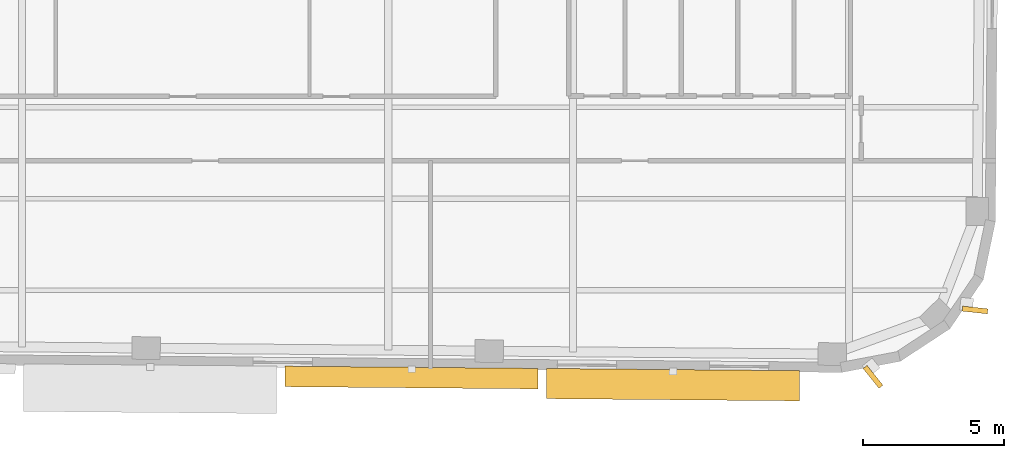
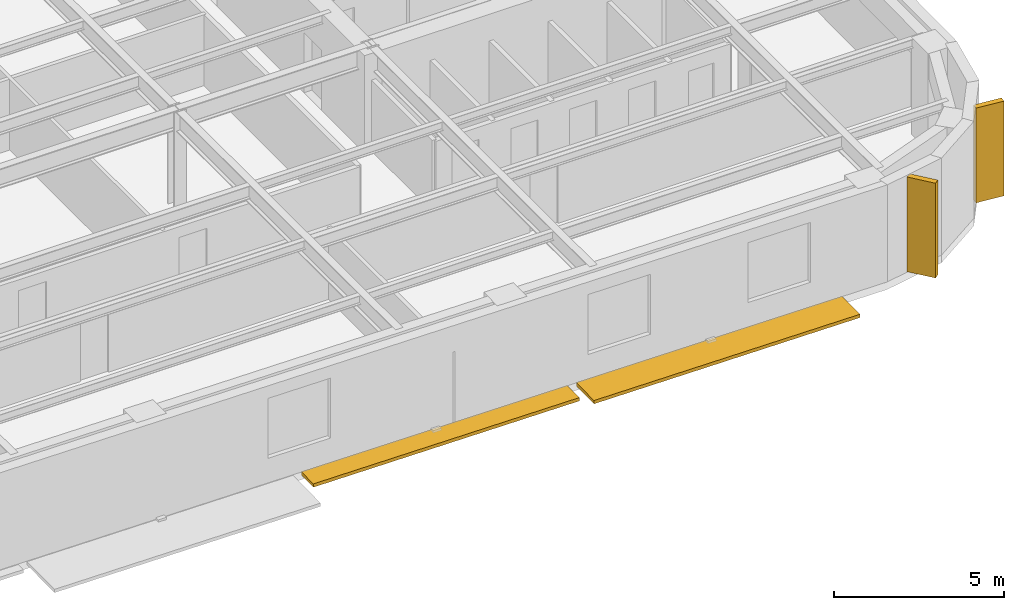
# One storey, part 10 of 12: 4 shading devices.
"""IFC4 building model written with IfcOpenShell, lengths in metres."""

from ifc_helpers import new_model, si_unit, direction, frame, origin, origin_2d, place, context, subcontext, project, spatial, rectangle, extrude, material, type_object, element, save


model = new_model("IFC4")

# Units and contexts
model_context = context("Model", 3, precision=1e-05, world=origin(), true_north=direction((0.0, 1.0)))
body_context = subcontext(model_context, "Body", "Model", "MODEL_VIEW")
ifc_project = project(units=[si_unit("LENGTHUNIT", "METRE"), si_unit("AREAUNIT", "SQUARE_METRE"), si_unit("VOLUMEUNIT", "CUBIC_METRE"), si_unit("PLANEANGLEUNIT", "RADIAN"), si_unit("MASSUNIT", "GRAM", prefix="KILO")], contexts=[model_context])

# Site, building, storey
site_placement = place(None, origin())
site = spatial("IfcSite", under=ifc_project, at=site_placement, CompositionType="ELEMENT")
building_placement = place(site_placement, origin())
building = spatial("IfcBuilding", under=site, at=building_placement, Name="Kolvaren Arena Tower", CompositionType="ELEMENT")
storey_placement = place(building_placement, frame((0.0, 0.0, 188.449951171875)))
storey = spatial("IfcBuildingStorey", under=building, at=storey_placement, Name="L45", CompositionType="ELEMENT", Elevation=188.449951171875)

# Shading devices
ifc_material_1 = material(Name="Precast architectural concrete C50/60 rib fin", Category="concrete")
shading_device_type_1 = type_object("IfcShadingDeviceType", Name="SHAD-FIN-28", PredefinedType="USERDEFINED", material=ifc_material_1)
for number, where, z_axis, x_axis, name in (
    (1, (61.2021484375, 5.427978515625, 0.02001953125), (0.0, 0.0, 1.0), (0.625923472184, -0.779884483093, 0.0), "Precast 28-Deg Corner Rib Fin (L45)"),
    (2, (64.822509765625, 7.8017578125, 0.02001953125), (0.0, 0.0, 1.0), (0.994056908234, -0.108861669984, 0.0), "Precast 28-Deg Corner Rib Fin (L45)"),
):
    element("IfcShadingDevice", number, at=place(storey_placement, frame(where, z_axis=z_axis, x_axis=x_axis)), inside=storey, type_object=shading_device_type_1, Name=name, ObjectType="FIN", PredefinedType="USERDEFINED", context=body_context, shape_type="SweptSolid", body=[
        extrude(rectangle(XDim=0.89990234375, YDim=0.179931640625, at=origin_2d()), origin(), (0.0, 0.0, 1.0), 3.39990234375),
    ])
ifc_material_2 = material(Name="Architectural precast GFRC and anodised aluminium sunshade", Category="concrete")
shading_device_type_2 = type_object("IfcShadingDeviceType", Name="SHAD-SINE-A", PredefinedType="USERDEFINED", material=ifc_material_2)
shading_device_1_placement = place(storey_placement, frame((54.106201171875, 5.151611328125, -0.139892578125), z_axis=(0.0, 0.0, 1.0), x_axis=(-0.999961923064, 0.008726535498, 0.0)))
element("IfcShadingDevice", 3, at=shading_device_1_placement, inside=storey, type_object=shading_device_type_2, Name="Sinusoidal Slab-Edge Sunshade Louvre (L45)", ObjectType="LOUVRE", PredefinedType="USERDEFINED", context=body_context, shape_type="SweptSolid", body=[
    extrude(rectangle(XDim=8.97998046875, YDim=1.072265625, at=origin_2d()), origin(), (0.0, 0.0, 1.0), 0.1201171875),
])
shading_device_2_placement = place(storey_placement, frame((44.827880859375, 5.404541015625, -0.139892578125), z_axis=(0.0, 0.0, 1.0), x_axis=(-0.999961923064, 0.008726535498, 0.0)))
element("IfcShadingDevice", 4, at=shading_device_2_placement, inside=storey, type_object=shading_device_type_2, Name="Sinusoidal Slab-Edge Sunshade Louvre (L45)", ObjectType="LOUVRE", PredefinedType="USERDEFINED", context=body_context, shape_type="SweptSolid", body=[
    extrude(rectangle(XDim=8.97998046875, YDim=0.728271484375, at=origin_2d()), origin(), (0.0, 0.0, 1.0), 0.1201171875),
])

save(model, "model.ifc")
